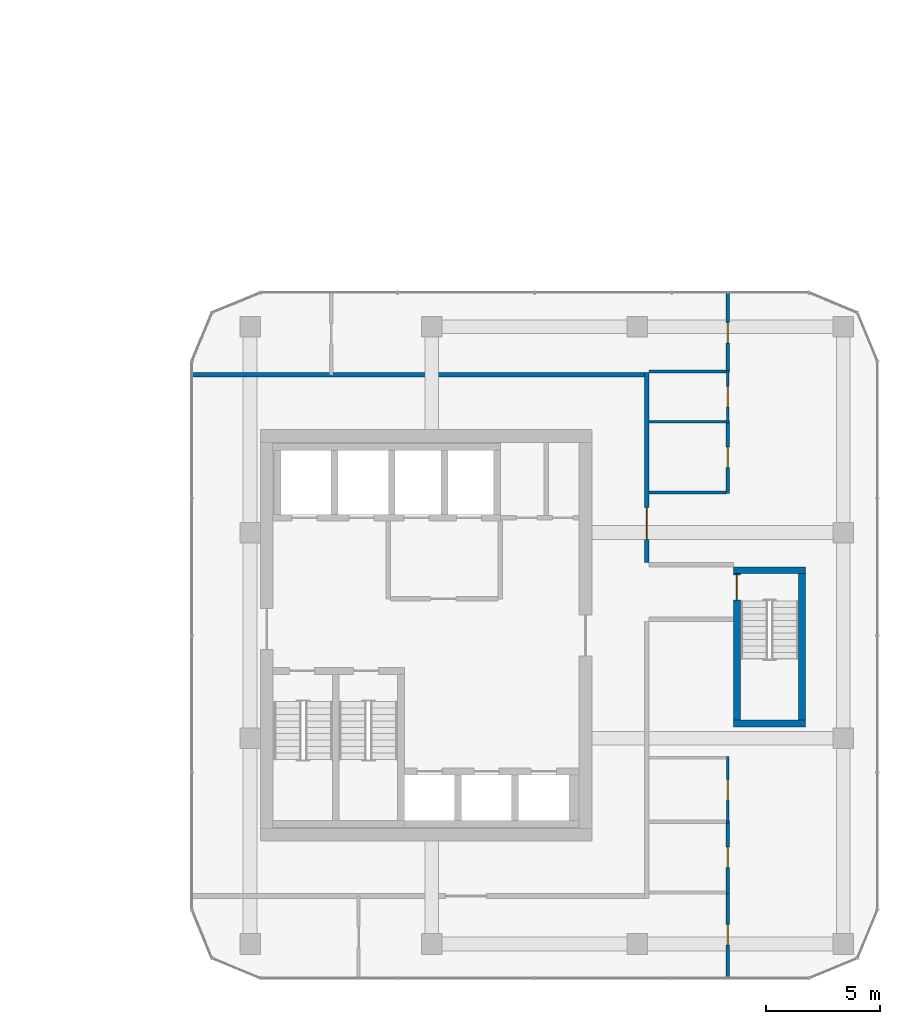
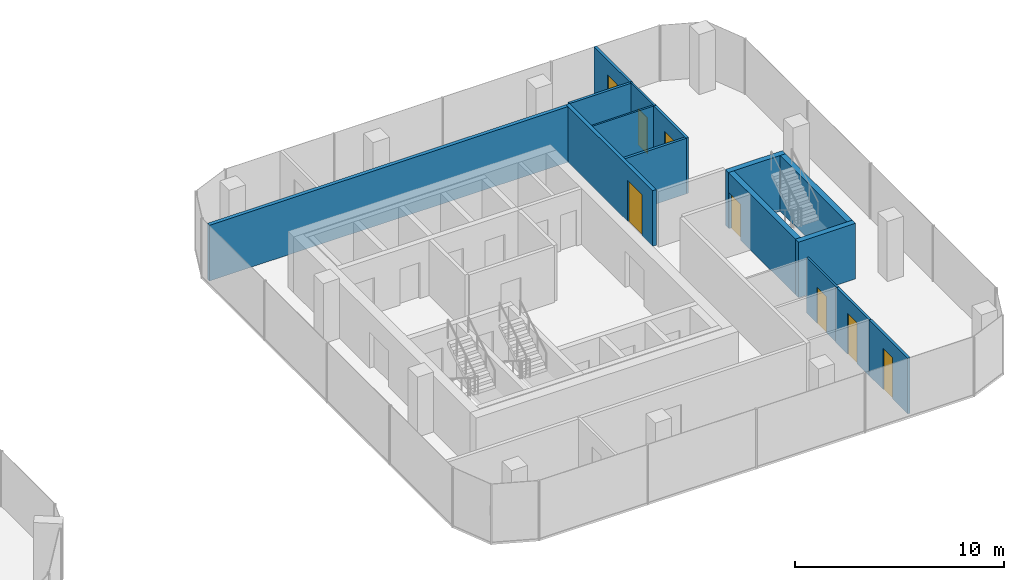
# One storey, part 19 of 23: 15 walls, 8 doors, 8 openings.
"""IFC4 building model written with IfcOpenShell, lengths in metres."""

from ifc_helpers import new_model, si_unit, direction, frame, frame_2d, origin, place, context, subcontext, project, spatial, rectangle, extrude, material, layer, layer_set, type_object, element, fill, save


model = new_model("IFC4")

# Units and contexts
model_context = context("Model", 3, precision=1e-05, world=origin(), true_north=direction((0.0, 1.0)))
body_context = subcontext(model_context, "Body", "Model", "MODEL_VIEW")
ifc_project = project(units=[si_unit("LENGTHUNIT", "METRE"), si_unit("AREAUNIT", "SQUARE_METRE"), si_unit("VOLUMEUNIT", "CUBIC_METRE"), si_unit("PLANEANGLEUNIT", "RADIAN"), si_unit("MASSUNIT", "GRAM", prefix="KILO")], contexts=[model_context])

# Site, building, storey
site_placement = place(None, origin())
site = spatial("IfcSite", under=ifc_project, at=site_placement, CompositionType="ELEMENT")
building_placement = place(site_placement, origin())
building = spatial("IfcBuilding", under=site, at=building_placement, Name="Plateau Cross Towers", CompositionType="ELEMENT")
storey_placement = place(building_placement, frame((0.0, 0.0, 33.800048828125)))
storey = spatial("IfcBuildingStorey", under=building, at=storey_placement, Name="L07", CompositionType="ELEMENT", Elevation=33.800048828125)

# Wall, opening, door
ifc_material_1 = material(Name="Concrete C60/75", Category="concrete")
ifc_layer_1 = layer(ifc_material_1, 0.300048828125)
ifc_layer_set_1 = layer_set([ifc_layer_1], Name="Concrete C60/75")
wall_type_1 = type_object("IfcWallType", Name="Core shaft wall 300", PredefinedType="SHEAR", material=ifc_layer_set_1)
wall_1_placement = place(storey_placement, frame((95.85009765625, 5.300048828125, 0.0), z_axis=(0.0, 0.0, 1.0), x_axis=(0.0, 1.0, 0.0)))
wall_1 = element("IfcWall", 1, at=wall_1_placement, inside=storey, type_object=wall_type_1, Name="B-sb3-W@L07", PredefinedType="SHEAR", context=body_context, shape_type="SweptSolid", body=[
    extrude(rectangle(XDim=6.39990234375, YDim=0.300048828125, at=frame_2d((3.199951171875, 0.0))), origin(), (0.0, 0.0, 1.0), 3.25),
])
opening_1_placement = place(wall_1_placement, frame((5.25, 0.0, 0.0)))
opening_1 = element("IfcOpeningElement", 2, at=opening_1_placement, cuts=wall_1, Name="Opening SD", PredefinedType="OPENING", context=body_context, shape_type="SweptSolid", body=[
    extrude(rectangle(XDim=1.10009765625, YDim=2.10009765625, at=frame_2d((0.550048828125, 1.050048828125))), frame((0.0, 0.159912109375, 0.0), z_axis=(0.0, -1.0, 0.0), x_axis=(1.0, 0.0, 0.0)), (0.0, 0.0, 1.0), 0.320068359375),
])
ifc_material_2 = material(Name="Steel, fire-resisting leaf", Category="steel")
door_type_1 = type_object("IfcDoorType", Name="Stair door 1100", OperationType="NOTDEFINED", PredefinedType="DOOR", material=ifc_material_2)
door_1_placement = place(opening_1_placement, origin())
door_1 = element("IfcDoor", 3, at=door_1_placement, inside=storey, type_object=door_type_1, Name="Stair door SD", OperationType="SINGLE_SWING_LEFT", OverallHeight=2.10009765625, OverallWidth=1.10009765625, PredefinedType="DOOR", context=body_context, shape_type="SweptSolid", body=[
    extrude(rectangle(XDim=1.10009765625, YDim=2.10009765625, at=frame_2d((0.550048828125, 1.050048828125))), frame((0.0, 0.02490234375, 0.0), z_axis=(0.0, -1.0, 0.0), x_axis=(1.0, 0.0, 0.0)), (0.0, 0.0, 1.0), 0.050048828125),
])
fill(opening_1, door_1)

# Walls
wall_2_placement = place(storey_placement, frame((98.699951171875, 5.300048828125, 0.0), z_axis=(0.0, 0.0, 1.0), x_axis=(0.0, 1.0, 0.0)))
element("IfcWall", 4, at=wall_2_placement, inside=storey, type_object=wall_type_1, Name="B-sb3-E@L07", PredefinedType="SHEAR", context=body_context, shape_type="SweptSolid", body=[
    extrude(rectangle(XDim=6.39990234375, YDim=0.300048828125, at=frame_2d((3.199951171875, 0.0))), origin(), (0.0, 0.0, 1.0), 3.25),
])
for number, where, z_axis, x_axis, name in (
    (5, (95.699951171875, 5.14990234375, 0.0), (0.0, 0.0, 1.0), (1.0, 0.0, 0.0), "B-sb3-S@L07"),
    (6, (95.699951171875, 11.85009765625, 0.0), (0.0, 0.0, 1.0), (1.0, 0.0, 0.0), "B-sb3-N@L07"),
):
    element("IfcWall", number, at=place(storey_placement, frame(where, z_axis=z_axis, x_axis=x_axis)), inside=storey, type_object=wall_type_1, Name=name, PredefinedType="SHEAR", context=body_context, shape_type="SweptSolid", body=[
        extrude(rectangle(XDim=3.150146484375, YDim=0.300048828125, at=frame_2d((1.5751953125, 0.0))), origin(), (0.0, 0.0, 1.0), 3.25),
    ])
ifc_material_3 = material(Name="Gypsum board on steel studs, two layers each side", Category="steel")
ifc_layer_2 = layer(ifc_material_3, 0.199951171875)
ifc_layer_set_2 = layer_set([ifc_layer_2], Name="Gypsum board on steel studs, two layers each side")
wall_type_2 = type_object("IfcWallType", Name="Corridor wall 200", PredefinedType="PARTITIONING", material=ifc_layer_set_2)
wall_3_placement = place(storey_placement, frame((72.0, 20.39990234375, 0.0), z_axis=(0.0, 0.0, 1.0), x_axis=(1.0, 0.0, 0.0)))
element("IfcWall", 7, at=wall_3_placement, inside=storey, type_object=wall_type_2, Name="Ring wall", PredefinedType="PARTITIONING", context=body_context, shape_type="SweptSolid", body=[
    extrude(rectangle(XDim=20.0, YDim=0.199951171875, at=frame_2d((10.0, 0.0))), origin(), (0.0, 0.0, 1.0), 3.25),
])

# Wall, opening, door
wall_4_placement = place(storey_placement, frame((91.89990234375, 12.199951171875, 0.0), z_axis=(0.0, 0.0, 1.0), x_axis=(0.0, 1.0, 0.0)))
wall_4 = element("IfcWall", 8, at=wall_4_placement, inside=storey, type_object=wall_type_2, Name="Ring wall", PredefinedType="PARTITIONING", context=body_context, shape_type="SweptSolid", body=[
    extrude(rectangle(XDim=8.300048828125, YDim=0.199951171875, at=frame_2d((4.14990234375, 0.0))), origin(), (0.0, 0.0, 1.0), 3.25),
])
opening_2_placement = place(wall_4_placement, frame((1.0, 0.0, 0.0)))
opening_2 = element("IfcOpeningElement", 9, at=opening_2_placement, cuts=wall_4, Name="Opening D-BE14", PredefinedType="OPENING", context=body_context, shape_type="SweptSolid", body=[
    extrude(rectangle(XDim=1.39990234375, YDim=2.39990234375, at=frame_2d((0.699951171875, 1.199951171875))), frame((0.0, 0.10986328125, 0.0), z_axis=(0.0, -1.0, 0.0), x_axis=(1.0, 0.0, 0.0)), (0.0, 0.0, 1.0), 0.219970703125),
])
ifc_material_4 = material(Name="Timber, fire-resisting leaves", Category="wood")
door_type_2 = type_object("IfcDoorType", Name="Tenant entrance double-leaf 1400x2400", OperationType="NOTDEFINED", PredefinedType="DOOR", material=ifc_material_4)
door_2_placement = place(opening_2_placement, origin())
door_2 = element("IfcDoor", 10, at=door_2_placement, inside=storey, type_object=door_type_2, Name="Door D-BE14", OperationType="DOUBLE_DOOR_SINGLE_SWING", OverallHeight=2.39990234375, OverallWidth=1.39990234375, PredefinedType="DOOR", context=body_context, shape_type="SweptSolid", body=[
    extrude(rectangle(XDim=1.39990234375, YDim=2.39990234375, at=frame_2d((0.699951171875, 1.199951171875))), frame((0.0, 0.02490234375, 0.0), z_axis=(0.0, -1.0, 0.0), x_axis=(1.0, 0.0, 0.0)), (0.0, 0.0, 1.0), 0.050048828125),
])
fill(opening_2, door_2)

ifc_material_5 = material(Name="Gypsum board on staggered steel studs, mineral wool, two layers each side", Category="steel")
ifc_layer_3 = layer(ifc_material_5, 0.139892578125)
ifc_layer_set_3 = layer_set([ifc_layer_3], Name="Gypsum board on staggered steel studs, mineral wool, two layers each side")
wall_type_3 = type_object("IfcWallType", Name="Meeting room acoustic partition 140", PredefinedType="PARTITIONING", material=ifc_layer_set_3)
wall_5_placement = place(storey_placement, frame((95.449951171875, -6.0, 0.0), z_axis=(0.0, 0.0, 1.0), x_axis=(0.0, 1.0, 0.0)))
wall_5 = element("IfcWall", 11, at=wall_5_placement, inside=storey, type_object=wall_type_3, Name="Acoustic wall", PredefinedType="PARTITIONING", context=body_context, shape_type="SweptSolid", body=[
    extrude(rectangle(XDim=3.800048828125, YDim=0.139892578125, at=frame_2d((1.89990234375, 0.0))), origin(), (0.0, 0.0, 1.0), 3.25),
])
opening_3_placement = place(wall_5_placement, frame((1.449951171875, 0.0, 0.0)))
opening_3 = element("IfcOpeningElement", 12, at=opening_3_placement, cuts=wall_5, Name="Opening D-BM9", PredefinedType="OPENING", context=body_context, shape_type="SweptSolid", body=[
    extrude(rectangle(XDim=0.89990234375, YDim=2.39990234375, at=frame_2d((0.449951171875, 1.199951171875))), frame((0.0, 0.079833984375, 0.0), z_axis=(0.0, -1.0, 0.0), x_axis=(1.0, 0.0, 0.0)), (0.0, 0.0, 1.0), 0.159912109375),
])
ifc_material_6 = material(Name="Timber leaf, full height", Category="wood")
door_type_3 = type_object("IfcDoorType", Name="Meeting room door 900x2400", OperationType="NOTDEFINED", PredefinedType="DOOR", material=ifc_material_6)
door_3_placement = place(opening_3_placement, origin())
door_3 = element("IfcDoor", 13, at=door_3_placement, inside=storey, type_object=door_type_3, Name="Door D-BM9", OperationType="SINGLE_SWING_LEFT", OverallHeight=2.39990234375, OverallWidth=0.89990234375, PredefinedType="DOOR", context=body_context, shape_type="SweptSolid", body=[
    extrude(rectangle(XDim=0.89990234375, YDim=2.39990234375, at=frame_2d((0.449951171875, 1.199951171875))), frame((0.0, 0.02490234375, 0.0), z_axis=(0.0, -1.0, 0.0), x_axis=(1.0, 0.0, 0.0)), (0.0, 0.0, 1.0), 0.050048828125),
])
fill(opening_3, door_3)

wall_6_placement = place(storey_placement, frame((95.449951171875, -2.300048828125, 0.0), z_axis=(0.0, 0.0, 1.0), x_axis=(0.0, 1.0, 0.0)))
wall_6 = element("IfcWall", 14, at=wall_6_placement, inside=storey, type_object=wall_type_3, Name="Acoustic wall", PredefinedType="PARTITIONING", context=body_context, shape_type="SweptSolid", body=[
    extrude(rectangle(XDim=3.199951171875, YDim=0.139892578125, at=frame_2d((1.60009765625, 0.0))), origin(), (0.0, 0.0, 1.0), 3.25),
])
opening_4_placement = place(wall_6_placement, frame((1.14990234375, 0.0, 0.0)))
opening_4 = element("IfcOpeningElement", 15, at=opening_4_placement, cuts=wall_6, Name="Opening D-BM9", PredefinedType="OPENING", context=body_context, shape_type="SweptSolid", body=[
    extrude(rectangle(XDim=0.89990234375, YDim=2.39990234375, at=frame_2d((0.449951171875, 1.199951171875))), frame((0.0, 0.079833984375, 0.0), z_axis=(0.0, -1.0, 0.0), x_axis=(1.0, 0.0, 0.0)), (0.0, 0.0, 1.0), 0.159912109375),
])
door_4_placement = place(opening_4_placement, origin())
door_4 = element("IfcDoor", 16, at=door_4_placement, inside=storey, type_object=door_type_3, Name="Door D-BM9", OperationType="SINGLE_SWING_LEFT", OverallHeight=2.39990234375, OverallWidth=0.89990234375, PredefinedType="DOOR", context=body_context, shape_type="SweptSolid", body=[
    extrude(rectangle(XDim=0.89990234375, YDim=2.39990234375, at=frame_2d((0.449951171875, 1.199951171875))), frame((0.0, 0.02490234375, 0.0), z_axis=(0.0, -1.0, 0.0), x_axis=(1.0, 0.0, 0.0)), (0.0, 0.0, 1.0), 0.050048828125),
])
fill(opening_4, door_4)

wall_7_placement = place(storey_placement, frame((95.449951171875, 20.5, 0.0), z_axis=(0.0, 0.0, 1.0), x_axis=(0.0, 1.0, 0.0)))
wall_7 = element("IfcWall", 17, at=wall_7_placement, inside=storey, type_object=wall_type_3, Name="Acoustic wall", PredefinedType="PARTITIONING", context=body_context, shape_type="SweptSolid", body=[
    extrude(rectangle(XDim=3.5, YDim=0.139892578125, at=frame_2d((1.75, 0.0))), origin(), (0.0, 0.0, 1.0), 3.25),
])
opening_5_placement = place(wall_7_placement, frame((1.300048828125, 0.0, 0.0)))
opening_5 = element("IfcOpeningElement", 18, at=opening_5_placement, cuts=wall_7, Name="Opening D-BM9", PredefinedType="OPENING", context=body_context, shape_type="SweptSolid", body=[
    extrude(rectangle(XDim=0.89990234375, YDim=2.39990234375, at=frame_2d((0.449951171875, 1.199951171875))), frame((0.0, 0.079833984375, 0.0), z_axis=(0.0, -1.0, 0.0), x_axis=(1.0, 0.0, 0.0)), (0.0, 0.0, 1.0), 0.159912109375),
])
door_5_placement = place(opening_5_placement, origin())
door_5 = element("IfcDoor", 19, at=door_5_placement, inside=storey, type_object=door_type_3, Name="Door D-BM9", OperationType="SINGLE_SWING_LEFT", OverallHeight=2.39990234375, OverallWidth=0.89990234375, PredefinedType="DOOR", context=body_context, shape_type="SweptSolid", body=[
    extrude(rectangle(XDim=0.89990234375, YDim=2.39990234375, at=frame_2d((0.449951171875, 1.199951171875))), frame((0.0, 0.02490234375, 0.0), z_axis=(0.0, -1.0, 0.0), x_axis=(1.0, 0.0, 0.0)), (0.0, 0.0, 1.0), 0.050048828125),
])
fill(opening_5, door_5)

# Wall
wall_8_placement = place(storey_placement, frame((92.0, 20.550048828125, 0.0), z_axis=(0.0, 0.0, 1.0), x_axis=(1.0, 0.0, 0.0)))
element("IfcWall", 20, at=wall_8_placement, inside=storey, type_object=wall_type_3, Name="Acoustic wall", PredefinedType="PARTITIONING", context=body_context, shape_type="SweptSolid", body=[
    extrude(rectangle(XDim=3.3798828125, YDim=0.139892578125, at=frame_2d((1.68994140625, 0.0))), origin(), (0.0, 0.0, 1.0), 3.25),
])

# Wall, opening, door
wall_9_placement = place(storey_placement, frame((95.449951171875, 15.199951171875, 0.0), z_axis=(0.0, 0.0, 1.0), x_axis=(0.0, 1.0, 0.0)))
wall_9 = element("IfcWall", 21, at=wall_9_placement, inside=storey, type_object=wall_type_3, Name="Acoustic wall", PredefinedType="PARTITIONING", context=body_context, shape_type="SweptSolid", body=[
    extrude(rectangle(XDim=3.199951171875, YDim=0.139892578125, at=frame_2d((1.60009765625, 0.0))), origin(), (0.0, 0.0, 1.0), 3.25),
])
opening_6_placement = place(wall_9_placement, frame((1.14990234375, 0.0, 0.0)))
opening_6 = element("IfcOpeningElement", 22, at=opening_6_placement, cuts=wall_9, Name="Opening D-BM9", PredefinedType="OPENING", context=body_context, shape_type="SweptSolid", body=[
    extrude(rectangle(XDim=0.89990234375, YDim=2.39990234375, at=frame_2d((0.449951171875, 1.199951171875))), frame((0.0, 0.079833984375, 0.0), z_axis=(0.0, -1.0, 0.0), x_axis=(1.0, 0.0, 0.0)), (0.0, 0.0, 1.0), 0.159912109375),
])
door_6_placement = place(opening_6_placement, origin())
door_6 = element("IfcDoor", 23, at=door_6_placement, inside=storey, type_object=door_type_3, Name="Door D-BM9", OperationType="SINGLE_SWING_LEFT", OverallHeight=2.39990234375, OverallWidth=0.89990234375, PredefinedType="DOOR", context=body_context, shape_type="SweptSolid", body=[
    extrude(rectangle(XDim=0.89990234375, YDim=2.39990234375, at=frame_2d((0.449951171875, 1.199951171875))), frame((0.0, 0.02490234375, 0.0), z_axis=(0.0, -1.0, 0.0), x_axis=(1.0, 0.0, 0.0)), (0.0, 0.0, 1.0), 0.050048828125),
])
fill(opening_6, door_6)

# Wall
wall_10_placement = place(storey_placement, frame((92.0, 15.25, 0.0), z_axis=(0.0, 0.0, 1.0), x_axis=(1.0, 0.0, 0.0)))
element("IfcWall", 24, at=wall_10_placement, inside=storey, type_object=wall_type_3, Name="Acoustic wall", PredefinedType="PARTITIONING", context=body_context, shape_type="SweptSolid", body=[
    extrude(rectangle(XDim=3.3798828125, YDim=0.139892578125, at=frame_2d((1.68994140625, 0.0))), origin(), (0.0, 0.0, 1.0), 3.25),
])

# Wall, opening, door
ifc_material_7 = material(Name="Gypsum board on steel studs", Category="steel")
ifc_layer_4 = layer(ifc_material_7, 0.10009765625)
ifc_layer_set_4 = layer_set([ifc_layer_4], Name="Gypsum board on steel studs")
wall_type_4 = type_object("IfcWallType", Name="Office partition 100", PredefinedType="PARTITIONING", material=ifc_layer_set_4)
wall_11_placement = place(storey_placement, frame((95.449951171875, 0.800048828125, 0.0), z_axis=(0.0, 0.0, 1.0), x_axis=(0.0, 1.0, 0.0)))
wall_11 = element("IfcWall", 25, at=wall_11_placement, inside=storey, type_object=wall_type_4, Name="Part wall", PredefinedType="PARTITIONING", context=body_context, shape_type="SweptSolid", body=[
    extrude(rectangle(XDim=2.89990234375, YDim=0.10009765625, at=frame_2d((1.449951171875, 0.0))), origin(), (0.0, 0.0, 1.0), 3.25),
])
opening_7_placement = place(wall_11_placement, frame((1.0, 0.0, 0.0)))
opening_7 = element("IfcOpeningElement", 26, at=opening_7_placement, cuts=wall_11, Name="Opening D-BR9", PredefinedType="OPENING", context=body_context, shape_type="SweptSolid", body=[
    extrude(rectangle(XDim=0.89990234375, YDim=2.10009765625, at=frame_2d((0.449951171875, 1.050048828125))), frame((0.0, 0.06005859375, 0.0), z_axis=(0.0, -1.0, 0.0), x_axis=(1.0, 0.0, 0.0)), (0.0, 0.0, 1.0), 0.1201171875),
])
ifc_material_8 = material(Name="Timber leaf", Category="wood")
door_type_4 = type_object("IfcDoorType", Name="Office room door 900", OperationType="NOTDEFINED", PredefinedType="DOOR", material=ifc_material_8)
door_7_placement = place(opening_7_placement, origin())
door_7 = element("IfcDoor", 27, at=door_7_placement, inside=storey, type_object=door_type_4, Name="Door D-BR9", OperationType="SINGLE_SWING_LEFT", OverallHeight=2.10009765625, OverallWidth=0.89990234375, PredefinedType="DOOR", context=body_context, shape_type="SweptSolid", body=[
    extrude(rectangle(XDim=0.89990234375, YDim=2.10009765625, at=frame_2d((0.449951171875, 1.050048828125))), frame((0.0, 0.02490234375, 0.0), z_axis=(0.0, -1.0, 0.0), x_axis=(1.0, 0.0, 0.0)), (0.0, 0.0, 1.0), 0.050048828125),
])
fill(opening_7, door_7)

wall_12_placement = place(storey_placement, frame((95.449951171875, 18.300048828125, 0.0), z_axis=(0.0, 0.0, 1.0), x_axis=(0.0, 1.0, 0.0)))
wall_12 = element("IfcWall", 28, at=wall_12_placement, inside=storey, type_object=wall_type_4, Name="Part wall", PredefinedType="PARTITIONING", context=body_context, shape_type="SweptSolid", body=[
    extrude(rectangle(XDim=2.300048828125, YDim=0.10009765625, at=frame_2d((1.14990234375, 0.0))), origin(), (0.0, 0.0, 1.0), 3.25),
])
opening_8_placement = place(wall_12_placement, frame((0.699951171875, 0.0, 0.0)))
opening_8 = element("IfcOpeningElement", 29, at=opening_8_placement, cuts=wall_12, Name="Opening D-BR9", PredefinedType="OPENING", context=body_context, shape_type="SweptSolid", body=[
    extrude(rectangle(XDim=0.89990234375, YDim=2.10009765625, at=frame_2d((0.449951171875, 1.050048828125))), frame((0.0, 0.06005859375, 0.0), z_axis=(0.0, -1.0, 0.0), x_axis=(1.0, 0.0, 0.0)), (0.0, 0.0, 1.0), 0.1201171875),
])
door_8_placement = place(opening_8_placement, origin())
door_8 = element("IfcDoor", 30, at=door_8_placement, inside=storey, type_object=door_type_4, Name="Door D-BR9", OperationType="SINGLE_SWING_LEFT", OverallHeight=2.10009765625, OverallWidth=0.89990234375, PredefinedType="DOOR", context=body_context, shape_type="SweptSolid", body=[
    extrude(rectangle(XDim=0.89990234375, YDim=2.10009765625, at=frame_2d((0.449951171875, 1.050048828125))), frame((0.0, 0.02490234375, 0.0), z_axis=(0.0, -1.0, 0.0), x_axis=(1.0, 0.0, 0.0)), (0.0, 0.0, 1.0), 0.050048828125),
])
fill(opening_8, door_8)

# Wall
wall_13_placement = place(storey_placement, frame((92.0, 18.35009765625, 0.0), z_axis=(0.0, 0.0, 1.0), x_axis=(1.0, 0.0, 0.0)))
element("IfcWall", 31, at=wall_13_placement, inside=storey, type_object=wall_type_4, Name="Part wall", PredefinedType="PARTITIONING", context=body_context, shape_type="SweptSolid", body=[
    extrude(rectangle(XDim=3.39990234375, YDim=0.10009765625, at=frame_2d((1.699951171875, 0.0))), origin(), (0.0, 0.0, 1.0), 3.25),
])

save(model, "model.ifc")
